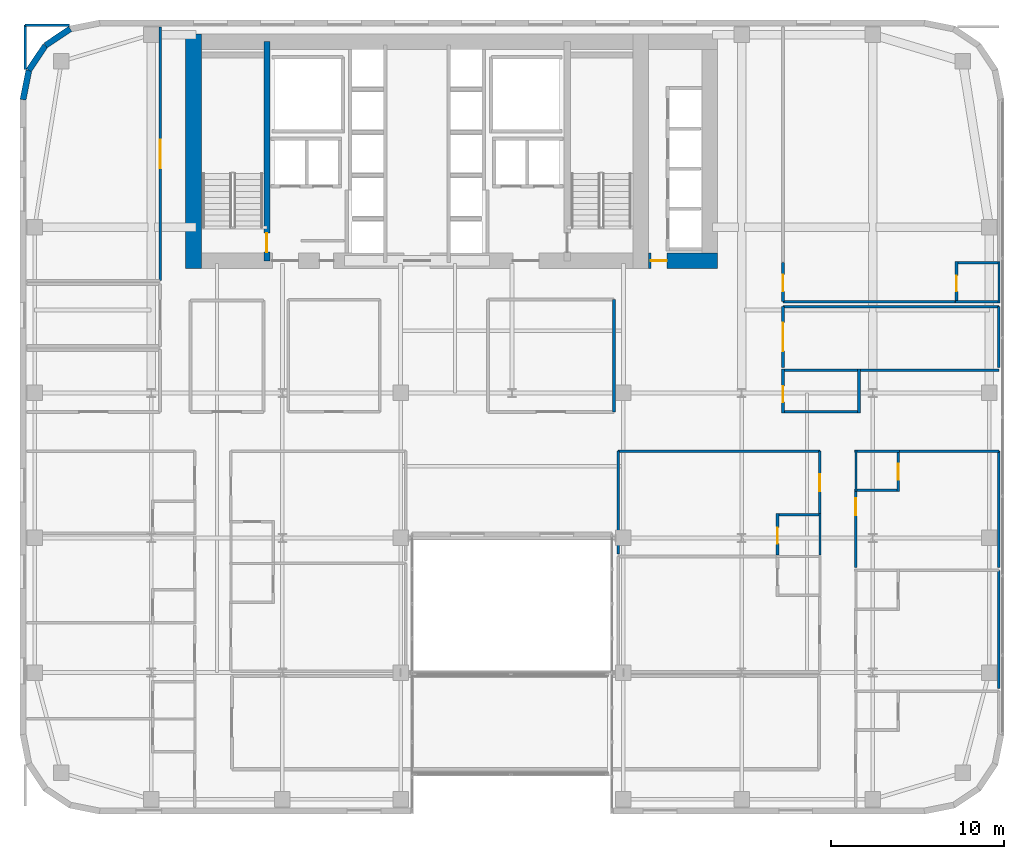
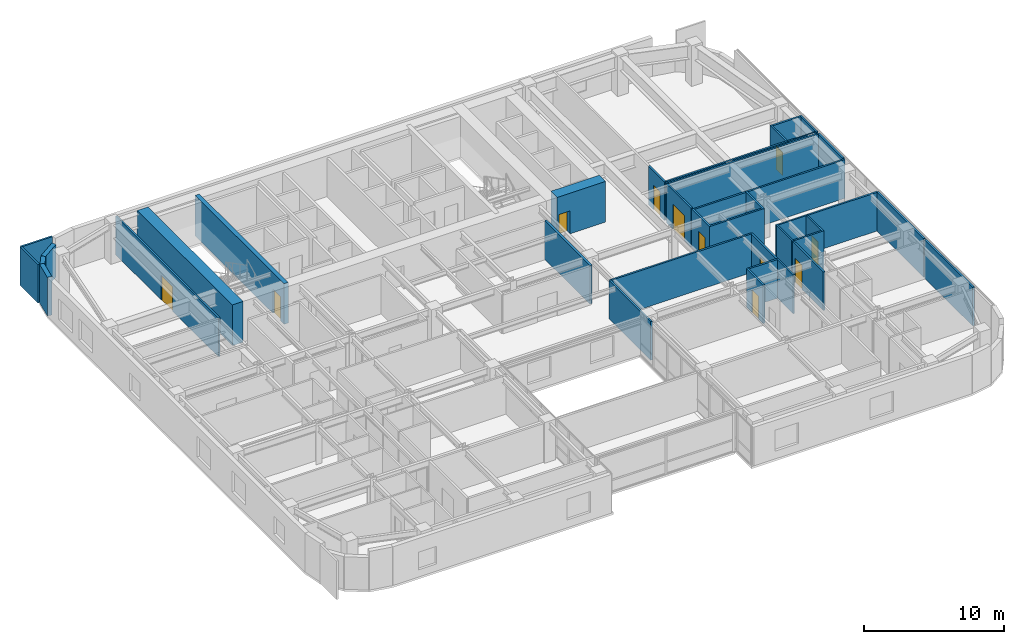
# One storey, part 21 of 25: 37 walls, 11 doors, 11 openings.
"""IFC4 building model written with IfcOpenShell, lengths in metres."""

from ifc_helpers import new_model, si_unit, direction, frame, frame_2d, origin, place, context, subcontext, project, spatial, rectangle, extrude, source, transform, mapped, material, layer, layer_set, type_object, type_shapes, element, fill, save


model = new_model("IFC4")

# Units and contexts
model_context = context("Model", 3, precision=1e-05, world=origin(), true_north=direction((0.0, 1.0)))
body_context = subcontext(model_context, "Body", "Model", "MODEL_VIEW")
ifc_project = project(units=[si_unit("LENGTHUNIT", "METRE"), si_unit("AREAUNIT", "SQUARE_METRE"), si_unit("VOLUMEUNIT", "CUBIC_METRE"), si_unit("PLANEANGLEUNIT", "RADIAN"), si_unit("MASSUNIT", "GRAM", prefix="KILO")], contexts=[model_context])

# Site, building, storey
site_placement = place(None, origin())
site = spatial("IfcSite", under=ifc_project, at=site_placement, CompositionType="ELEMENT")
building_placement = place(site_placement, origin())
building = spatial("IfcBuilding", under=site, at=building_placement, Name="Tolvann Quenvar Hotel", CompositionType="ELEMENT")
storey_placement = place(building_placement, frame((0.0, 0.0, 78.14990234375)))
storey = spatial("IfcBuildingStorey", under=building, at=storey_placement, Name="L19", CompositionType="ELEMENT", Elevation=78.14990234375)

# Wall
ifc_material_1 = material(Name="Concrete S80 (80 MPa)", Category="concrete")
ifc_layer_1 = layer(ifc_material_1, 0.89990234375)
ifc_layer_set_1 = layer_set([ifc_layer_1], Name="Concrete S80 (80 MPa)")
wall_type_1 = type_object("IfcWallType", Name="WALL_CORE_900", PredefinedType="SHEAR", material=ifc_layer_set_1)
wall_1_placement = place(storey_placement, frame((10.050048828125, 31.60009765625, 0.0), z_axis=(0.0, 0.0, 1.0), x_axis=(0.0, 1.0, 0.0)))
element("IfcWall", 1, at=wall_1_placement, inside=storey, type_object=wall_type_1, Name="Rear Core W Shear Wall (L19)", PredefinedType="SHEAR", context=body_context, shape_type="SweptSolid", body=[
    extrude(rectangle(XDim=13.599853515625, YDim=0.89990234375, at=frame_2d((6.7998046875, 0.0))), origin(), (0.0, 0.0, 1.0), 3.550048828125),
])

# Wall, opening, door
wall_2_placement = place(storey_placement, frame((36.39990234375, 32.050048828125, 0.0), z_axis=(0.0, 0.0, 1.0), x_axis=(1.0, 0.0, 0.0)))
wall_2 = element("IfcWall", 2, at=wall_2_placement, inside=storey, type_object=wall_type_1, Name="Core East Annex Shear Wall ANN-S (L19)", PredefinedType="SHEAR", context=body_context, shape_type="SweptSolid", body=[
    extrude(rectangle(XDim=4.0, YDim=0.89990234375, at=frame_2d((2.0, 0.0))), origin(), (0.0, 0.0, 1.0), 3.550048828125),
])
opening_1_placement = place(wall_2_placement, frame((1.06982421875, 0.0, 0.0), z_axis=(0.0, 0.0, 1.0), x_axis=(-1.0, 0.0, 0.0)))
opening_1 = element("IfcOpeningElement", 3, at=opening_1_placement, cuts=wall_2, Name="Opening WD-01", PredefinedType="OPENING", context=body_context, shape_type="SweptSolid", body=[
    extrude(rectangle(XDim=0.919921875, YDim=2.010009765625, at=frame_2d((0.4599609375, 1.0048828125))), frame((0.0, 0.4599609375, 0.0), z_axis=(0.0, -1.0, 0.0), x_axis=(1.0, 0.0, 0.0)), (0.0, 0.0, 1.0), 0.919921875),
])
ifc_material_2 = material(Name="Solid-core American oak acoustic fire door leaf in steel frame", Category="steel")
door_type_1 = type_object("IfcDoorType", Name="DOOR_WC_920", OperationType="NOTDEFINED", PredefinedType="DOOR", material=ifc_material_2)
shared_shape_1 = source(origin(), body_context, "Body", "SweptSolid", [
    extrude(rectangle(XDim=0.919921875, YDim=2.010009765625, at=frame_2d((0.4599609375, 1.0048828125))), frame((0.0, 0.02490234375, 0.0), z_axis=(0.0, -1.0, 0.0), x_axis=(1.0, 0.0, 0.0)), (0.0, 0.0, 1.0), 0.050048828125),
])
type_shapes(door_type_1, [shared_shape_1])
door_1_placement = place(opening_1_placement, origin())
door_1 = element("IfcDoor", 4, at=door_1_placement, inside=storey, type_object=door_type_1, Name="Low-Rise Lift Lobby Fire Door (L19)", OperationType="SINGLE_SWING_RIGHT", OverallHeight=2.010009765625, OverallWidth=0.919921875, PredefinedType="DOOR", context=body_context, shape_type="MappedRepresentation", body=[
    mapped(shared_shape_1, transform((0.0, 0.0, 0.0), x_axis=(1.0, 0.0, 0.0), y_axis=(0.0, 1.0, 0.0), z_axis=(0.0, 0.0, 1.0), scale=1.0)),
])
fill(opening_1, door_1)

ifc_material_3 = material(Name="Concrete S65 (65 MPa)", Category="concrete")
ifc_layer_2 = layer(ifc_material_3, 0.35009765625)
ifc_layer_set_2 = layer_set([ifc_layer_2], Name="Concrete S65 (65 MPa)")
wall_type_2 = type_object("IfcWallType", Name="WALL_CORE_INT_350", PredefinedType="SHEAR", material=ifc_layer_set_2)
wall_3_placement = place(storey_placement, frame((14.300048828125, 32.050048828125, 0.0), z_axis=(0.0, 0.0, 1.0), x_axis=(0.0, 1.0, 0.0)))
wall_3 = element("IfcWall", 5, at=wall_3_placement, inside=storey, type_object=wall_type_2, Name="Core Internal Web Shear Wall WEB-W (L19)", PredefinedType="SHEAR", context=body_context, shape_type="SweptSolid", body=[
    extrude(rectangle(XDim=12.699951171875, YDim=0.35009765625, at=frame_2d((6.35009765625, 0.0))), origin(), (0.0, 0.0, 1.0), 3.550048828125),
])
opening_2_placement = place(wall_3_placement, frame((0.5, 0.0, 0.0)))
opening_2 = element("IfcOpeningElement", 6, at=opening_2_placement, cuts=wall_3, Name="Opening FD-120", PredefinedType="OPENING", context=body_context, shape_type="SweptSolid", body=[
    extrude(rectangle(XDim=1.10009765625, YDim=2.1201171875, at=frame_2d((0.550048828125, 1.06005859375))), frame((0.0, 0.18505859375, 0.0), z_axis=(0.0, -1.0, 0.0), x_axis=(1.0, 0.0, 0.0)), (0.0, 0.0, 1.0), 0.3701171875),
])
ifc_material_4 = material(Name="Pressed galvanised steel fire-rated door set", Category="steel")
door_type_2 = type_object("IfcDoorType", Name="DOOR_FIRE_STAIR_1100", OperationType="NOTDEFINED", PredefinedType="DOOR", material=ifc_material_4)
shared_shape_2 = source(origin(), body_context, "Body", "SweptSolid", [
    extrude(rectangle(XDim=1.10009765625, YDim=2.1201171875, at=frame_2d((0.550048828125, 1.06005859375))), frame((0.0, 0.02490234375, 0.0), z_axis=(0.0, -1.0, 0.0), x_axis=(1.0, 0.0, 0.0)), (0.0, 0.0, 1.0), 0.050048828125),
])
type_shapes(door_type_2, [shared_shape_2])
door_2_placement = place(opening_2_placement, origin())
door_2 = element("IfcDoor", 7, at=door_2_placement, inside=storey, type_object=door_type_2, Name="Exit Stair ST-C1 Fire Door (L19)", OperationType="SINGLE_SWING_LEFT", OverallHeight=2.1201171875, OverallWidth=1.10009765625, PredefinedType="DOOR", context=body_context, shape_type="MappedRepresentation", body=[
    mapped(shared_shape_2, transform((0.0, 0.0, 0.0), x_axis=(1.0, 0.0, 0.0), y_axis=(0.0, 1.0, 0.0), z_axis=(0.0, 0.0, 1.0), scale=1.0)),
])
fill(opening_2, door_2)

# Walls
ifc_material_5 = material(Name="Kiln-fired red and buff architectural clay brickwork and terracotta masonry", Category="masonry")
ifc_layer_3 = layer(ifc_material_5, 0.35009765625)
ifc_layer_set_3 = layer_set([ifc_layer_3], Name="Kiln-fired red and buff architectural clay brickwork and terracotta masonry")
wall_type_3 = type_object("IfcWallType", Name="WALL_EXT_BRICK_350", PredefinedType="SOLIDWALL", material=ifc_layer_set_3)
for number, where, z_axis, x_axis, name in (
    (8, (2.907958984375, 45.485107421875, 0.0), (0.0, 0.0, 1.0), (-0.831483840845, -0.55554893791, 0.0), "Exterior Chicago Brick Wall L19-E20"),
    (9, (1.473388671875, 44.526611328125, 0.0), (0.0, 0.0, 1.0), (-0.55554893791, -0.831483840845, 0.0), "Exterior Chicago Brick Wall L19-E21"),
):
    element("IfcWall", number, at=place(storey_placement, frame(where, z_axis=z_axis, x_axis=x_axis)), inside=storey, type_object=wall_type_3, Name=name, PredefinedType="SOLIDWALL", context=body_context, shape_type="SweptSolid", body=[
        extrude(rectangle(XDim=1.725341796875, YDim=0.35009765625, at=frame_2d((0.86279296875, 0.0))), origin(), (0.0, 0.0, 1.0), 2.83203125),
    ])
wall_4_placement = place(storey_placement, frame((0.514892578125, 43.092041015625, 0.0), z_axis=(0.0, 0.0, 1.0), x_axis=(-0.195011420161, -0.980800971659, 0.0)))
element("IfcWall", 10, at=wall_4_placement, inside=storey, type_object=wall_type_3, Name="Exterior Chicago Brick Wall L19-E22", PredefinedType="SOLIDWALL", context=body_context, shape_type="SweptSolid", body=[
    extrude(rectangle(XDim=1.74267578125, YDim=0.35009765625, at=frame_2d((0.871337890625, 0.0))), origin(), (0.0, 0.0, 1.0), 3.3701171875),
])
ifc_material_6 = material(Name="Acoustic twin-stud fire-rated gypsum plasterboard partition")
ifc_layer_4 = layer(ifc_material_6, 0.179931640625)
ifc_layer_set_4 = layer_set([ifc_layer_4], Name="Acoustic twin-stud fire-rated gypsum plasterboard partition")
wall_type_4 = type_object("IfcWallType", Name="WALL_PART_ACOUSTIC_180", PredefinedType="PARTITIONING", material=ifc_layer_set_4)
wall_5_placement = place(storey_placement, frame((34.39990234375, 23.300048828125, 0.0), z_axis=(0.0, 0.0, 1.0), x_axis=(0.0, 1.0, 0.0)))
element("IfcWall", 11, at=wall_5_placement, inside=storey, type_object=wall_type_4, Name="Interior Partition PT-SPC-L19-MSP-C-E", PredefinedType="PARTITIONING", context=body_context, shape_type="SweptSolid", body=[
    extrude(rectangle(XDim=6.5, YDim=0.179931640625, at=frame_2d((3.25, 0.0))), origin(), (0.0, 0.0, 1.0), 3.3701171875),
])
ifc_material_7 = material(Name="Moisture-resistant acoustic plumbing wall assembly")
ifc_layer_5 = layer(ifc_material_7, 0.1201171875)
ifc_layer_set_5 = layer_set([ifc_layer_5], Name="Moisture-resistant acoustic plumbing wall assembly")
wall_type_5 = type_object("IfcWallType", Name="WALL_PART_BATH_120", PredefinedType="PLUMBINGWALL", material=ifc_layer_set_5)
wall_6_placement = place(storey_placement, frame((46.330078125, 15.010009765625, 0.0), z_axis=(0.0, 0.0, 1.0), x_axis=(0.0, 1.0, 0.0)))
element("IfcWall", 12, at=wall_6_placement, inside=storey, type_object=wall_type_5, Name="Non-Rated Plumbing Partition PT-SPC-L19-ENS-EI02-E", PredefinedType="PLUMBINGWALL", context=body_context, shape_type="SweptSolid", body=[
    extrude(rectangle(XDim=2.389892578125, YDim=0.1201171875, at=frame_2d((1.19482421875, 0.0))), origin(), (0.0, 0.0, 1.0), 3.3701171875),
])
wall_7_placement = place(storey_placement, frame((48.35009765625, 21.02001953125, 0.0), z_axis=(0.0, 0.0, 1.0), x_axis=(1.0, 0.0, 0.0)))
element("IfcWall", 13, at=wall_7_placement, inside=storey, type_object=wall_type_5, Name="Non-Rated Plumbing Partition PT-SPC-L19-ENS-EO03-N", PredefinedType="PLUMBINGWALL", context=body_context, shape_type="SweptSolid", body=[
    extrude(rectangle(XDim=2.58984375, YDim=0.1201171875, at=frame_2d((1.294921875, 0.0))), origin(), (0.0, 0.0, 1.0), 3.3701171875),
])
wall_8_placement = place(storey_placement, frame((48.419921875, 18.699951171875, 0.0), z_axis=(0.0, 0.0, 1.0), x_axis=(0.0, 1.0, 0.0)))
element("IfcWall", 14, at=wall_8_placement, inside=storey, type_object=wall_type_5, Name="Non-Rated Plumbing Partition PT-SPC-L19-ENS-EO03-W", PredefinedType="PLUMBINGWALL", context=body_context, shape_type="SweptSolid", body=[
    extrude(rectangle(XDim=2.39013671875, YDim=0.1201171875, at=frame_2d((1.195068359375, 0.0))), origin(), (0.0, 0.0, 1.0), 3.3701171875),
])
wall_9_placement = place(storey_placement, frame((54.179931640625, 29.679931640625, 0.0), z_axis=(0.0, 0.0, 1.0), x_axis=(1.0, 0.0, 0.0)))
element("IfcWall", 15, at=wall_9_placement, inside=storey, type_object=wall_type_5, Name="Non-Rated Plumbing Partition PT-SPC-L19-ENS-NE01-S", PredefinedType="PLUMBINGWALL", context=body_context, shape_type="SweptSolid", body=[
    extrude(rectangle(XDim=2.590087890625, YDim=0.1201171875, at=frame_2d((1.294921875, 0.0))), origin(), (0.0, 0.0, 1.0), 3.3701171875),
])
wall_10_placement = place(storey_placement, frame((56.699951171875, 29.610107421875, 0.0), z_axis=(0.0, 0.0, 1.0), x_axis=(0.0, 1.0, 0.0)))
element("IfcWall", 16, at=wall_10_placement, inside=storey, type_object=wall_type_5, Name="Non-Rated Plumbing Partition PT-SPC-L19-ENS-NE01-E", PredefinedType="PLUMBINGWALL", context=body_context, shape_type="SweptSolid", body=[
    extrude(rectangle(XDim=2.389892578125, YDim=0.1201171875, at=frame_2d((1.19482421875, 0.0))), origin(), (0.0, 0.0, 1.0), 3.3701171875),
])

# Wall, opening, door
ifc_layer_6 = layer(ifc_material_6, 0.14990234375)
ifc_layer_set_6 = layer_set([ifc_layer_6], Name="Acoustic twin-stud fire-rated gypsum plasterboard partition")
wall_type_6 = type_object("IfcWallType", Name="WALL_PART_SUITE_150", PredefinedType="PARTITIONING", material=ifc_layer_set_6)
wall_11_placement = place(storey_placement, frame((43.8798828125, 15.010009765625, 0.0), z_axis=(0.0, 0.0, 1.0), x_axis=(0.0, 1.0, 0.0)))
wall_11 = element("IfcWall", 17, at=wall_11_placement, inside=storey, type_object=wall_type_6, Name="Interior Partition PT-SPC-L19-ENS-EI02-ENT", PredefinedType="PARTITIONING", context=body_context, shape_type="SweptSolid", body=[
    extrude(rectangle(XDim=2.389892578125, YDim=0.14990234375, at=frame_2d((1.19482421875, 0.0))), origin(), (0.0, 0.0, 1.0), 3.3701171875),
])
opening_3_placement = place(wall_11_placement, frame((0.6650390625, 0.0, 0.0)))
opening_3 = element("IfcOpeningElement", 18, at=opening_3_placement, cuts=wall_11, Name="Opening WD-01", PredefinedType="OPENING", context=body_context, shape_type="SweptSolid", body=[
    extrude(rectangle(XDim=0.919921875, YDim=2.010009765625, at=frame_2d((0.4599609375, 1.0048828125))), frame((0.0, 0.0849609375, 0.0), z_axis=(0.0, -1.0, 0.0), x_axis=(1.0, 0.0, 0.0)), (0.0, 0.0, 1.0), 0.169921875),
])
door_3_placement = place(opening_3_placement, origin())
door_3 = element("IfcDoor", 19, at=door_3_placement, inside=storey, type_object=door_type_1, Name="Interior Door DOOR-SPC-L19-ENS-EI02", OperationType="SINGLE_SWING_LEFT", OverallHeight=2.010009765625, OverallWidth=0.919921875, PredefinedType="DOOR", context=body_context, shape_type="MappedRepresentation", body=[
    mapped(shared_shape_1, transform((0.0, 0.0, 0.0), x_axis=(1.0, 0.0, 0.0), y_axis=(0.0, 1.0, 0.0), z_axis=(0.0, 0.0, 1.0), scale=1.0)),
])
fill(opening_3, door_3)

# Wall
wall_12_placement = place(storey_placement, frame((43.81005859375, 17.330078125, 0.0), z_axis=(0.0, 0.0, 1.0), x_axis=(1.0, 0.0, 0.0)))
element("IfcWall", 20, at=wall_12_placement, inside=storey, type_object=wall_type_6, Name="Interior Partition PT-SPC-L19-ENS-EI02-N", PredefinedType="PARTITIONING", context=body_context, shape_type="SweptSolid", body=[
    extrude(rectangle(XDim=2.58984375, YDim=0.14990234375, at=frame_2d((1.294921875, 0.0))), origin(), (0.0, 0.0, 1.0), 3.3701171875),
])

# Wall, opening, door
wall_13_placement = place(storey_placement, frame((50.8701171875, 18.699951171875, 0.0), z_axis=(0.0, 0.0, 1.0), x_axis=(0.0, 1.0, 0.0)))
wall_13 = element("IfcWall", 21, at=wall_13_placement, inside=storey, type_object=wall_type_6, Name="Interior Partition PT-SPC-L19-ENS-EO03-ENT", PredefinedType="PARTITIONING", context=body_context, shape_type="SweptSolid", body=[
    extrude(rectangle(XDim=2.39013671875, YDim=0.14990234375, at=frame_2d((1.195068359375, 0.0))), origin(), (0.0, 0.0, 1.0), 3.3701171875),
])
opening_4_placement = place(wall_13_placement, frame((0.6650390625, 0.0, 0.0)))
opening_4 = element("IfcOpeningElement", 22, at=opening_4_placement, cuts=wall_13, Name="Opening WD-01", PredefinedType="OPENING", context=body_context, shape_type="SweptSolid", body=[
    extrude(rectangle(XDim=0.919921875, YDim=2.010009765625, at=frame_2d((0.4599609375, 1.0048828125))), frame((0.0, 0.0849609375, 0.0), z_axis=(0.0, -1.0, 0.0), x_axis=(1.0, 0.0, 0.0)), (0.0, 0.0, 1.0), 0.169921875),
])
door_4_placement = place(opening_4_placement, origin())
door_4 = element("IfcDoor", 23, at=door_4_placement, inside=storey, type_object=door_type_1, Name="Interior Door DOOR-SPC-L19-ENS-EO03", OperationType="SINGLE_SWING_RIGHT", OverallHeight=2.010009765625, OverallWidth=0.919921875, PredefinedType="DOOR", context=body_context, shape_type="MappedRepresentation", body=[
    mapped(shared_shape_1, transform((0.0, 0.0, 0.0), x_axis=(1.0, 0.0, 0.0), y_axis=(0.0, 1.0, 0.0), z_axis=(0.0, 0.0, 1.0), scale=1.0)),
])
fill(opening_4, door_4)

# Wall
wall_14_placement = place(storey_placement, frame((48.35009765625, 18.77001953125, 0.0), z_axis=(0.0, 0.0, 1.0), x_axis=(1.0, 0.0, 0.0)))
element("IfcWall", 24, at=wall_14_placement, inside=storey, type_object=wall_type_6, Name="Interior Partition PT-SPC-L19-ENS-EO03-S", PredefinedType="PARTITIONING", context=body_context, shape_type="SweptSolid", body=[
    extrude(rectangle(XDim=2.58984375, YDim=0.14990234375, at=frame_2d((1.294921875, 0.0))), origin(), (0.0, 0.0, 1.0), 3.3701171875),
])

# Wall, opening, door
wall_15_placement = place(storey_placement, frame((54.25, 29.610107421875, 0.0), z_axis=(0.0, 0.0, 1.0), x_axis=(0.0, 1.0, 0.0)))
wall_15 = element("IfcWall", 25, at=wall_15_placement, inside=storey, type_object=wall_type_6, Name="Interior Partition PT-SPC-L19-ENS-NE01-ENT", PredefinedType="PARTITIONING", context=body_context, shape_type="SweptSolid", body=[
    extrude(rectangle(XDim=2.389892578125, YDim=0.14990234375, at=frame_2d((1.19482421875, 0.0))), origin(), (0.0, 0.0, 1.0), 3.3701171875),
])
opening_5_placement = place(wall_15_placement, frame((0.6650390625, 0.0, 0.0)))
opening_5 = element("IfcOpeningElement", 26, at=opening_5_placement, cuts=wall_15, Name="Opening WD-01", PredefinedType="OPENING", context=body_context, shape_type="SweptSolid", body=[
    extrude(rectangle(XDim=0.919921875, YDim=2.010009765625, at=frame_2d((0.4599609375, 1.0048828125))), frame((0.0, 0.0849609375, 0.0), z_axis=(0.0, -1.0, 0.0), x_axis=(1.0, 0.0, 0.0)), (0.0, 0.0, 1.0), 0.169921875),
])
door_5_placement = place(opening_5_placement, origin())
door_5 = element("IfcDoor", 27, at=door_5_placement, inside=storey, type_object=door_type_1, Name="Interior Door DOOR-SPC-L19-ENS-NE01", OperationType="SINGLE_SWING_LEFT", OverallHeight=2.010009765625, OverallWidth=0.919921875, PredefinedType="DOOR", context=body_context, shape_type="MappedRepresentation", body=[
    mapped(shared_shape_1, transform((0.0, 0.0, 0.0), x_axis=(1.0, 0.0, 0.0), y_axis=(0.0, 1.0, 0.0), z_axis=(0.0, 0.0, 1.0), scale=1.0)),
])
fill(opening_5, door_5)

# Wall
wall_16_placement = place(storey_placement, frame((54.179931640625, 31.929931640625, 0.0), z_axis=(0.0, 0.0, 1.0), x_axis=(1.0, 0.0, 0.0)))
element("IfcWall", 28, at=wall_16_placement, inside=storey, type_object=wall_type_6, Name="Interior Partition PT-SPC-L19-ENS-NE01-N", PredefinedType="PARTITIONING", context=body_context, shape_type="SweptSolid", body=[
    extrude(rectangle(XDim=2.590087890625, YDim=0.14990234375, at=frame_2d((1.294921875, 0.0))), origin(), (0.0, 0.0, 1.0), 3.3701171875),
])

# Wall, opening, door
wall_17_placement = place(storey_placement, frame((46.330078125, 17.409912109375, 0.0), z_axis=(0.0, 0.0, 1.0), x_axis=(0.0, 1.0, 0.0)))
wall_17 = element("IfcWall", 29, at=wall_17_placement, inside=storey, type_object=wall_type_6, Name="Interior Partition PT-SPC-L19-RM-EI02-ENT", PredefinedType="PARTITIONING", context=body_context, shape_type="SweptSolid", body=[
    extrude(rectangle(XDim=3.610107421875, YDim=0.14990234375, at=frame_2d((1.80517578125, 0.0))), origin(), (0.0, 0.0, 1.0), 3.3701171875),
])
opening_6_placement = place(wall_17_placement, frame((1.294921875, 0.0, 0.0)))
opening_6 = element("IfcOpeningElement", 30, at=opening_6_placement, cuts=wall_17, Name="Opening SD-01", PredefinedType="OPENING", context=body_context, shape_type="SweptSolid", body=[
    extrude(rectangle(XDim=0.97998046875, YDim=2.1201171875, at=frame_2d((0.489990234375, 1.06005859375))), frame((0.0, 0.0849609375, 0.0), z_axis=(0.0, -1.0, 0.0), x_axis=(1.0, 0.0, 0.0)), (0.0, 0.0, 1.0), 0.169921875),
])
door_type_3 = type_object("IfcDoorType", Name="DOOR_SUITE_980", OperationType="NOTDEFINED", PredefinedType="DOOR", material=ifc_material_2)
shared_shape_3 = source(origin(), body_context, "Body", "SweptSolid", [
    extrude(rectangle(XDim=0.97998046875, YDim=2.1201171875, at=frame_2d((0.489990234375, 1.06005859375))), frame((0.0, 0.02490234375, 0.0), z_axis=(0.0, -1.0, 0.0), x_axis=(1.0, 0.0, 0.0)), (0.0, 0.0, 1.0), 0.050048828125),
])
type_shapes(door_type_3, [shared_shape_3])
door_6_placement = place(opening_6_placement, origin())
door_6 = element("IfcDoor", 31, at=door_6_placement, inside=storey, type_object=door_type_3, Name="Interior Door DOOR-SPC-L19-RM-EI02", OperationType="SINGLE_SWING_LEFT", OverallHeight=2.1201171875, OverallWidth=0.97998046875, PredefinedType="DOOR", context=body_context, shape_type="MappedRepresentation", body=[
    mapped(shared_shape_3, transform((0.0, 0.0, 0.0), x_axis=(1.0, 0.0, 0.0), y_axis=(0.0, 1.0, 0.0), z_axis=(0.0, 0.0, 1.0), scale=1.0)),
])
fill(opening_6, door_6)

# Walls
wall_18_placement = place(storey_placement, frame((34.64990234375, 21.02001953125, 0.0), z_axis=(0.0, 0.0, 1.0), x_axis=(1.0, 0.0, 0.0)))
element("IfcWall", 32, at=wall_18_placement, inside=storey, type_object=wall_type_6, Name="Interior Partition PT-SPC-L19-RM-EI02-E5", PredefinedType="PARTITIONING", context=body_context, shape_type="SweptSolid", body=[
    extrude(rectangle(XDim=11.68017578125, YDim=0.14990234375, at=frame_2d((5.840087890625, 0.0))), origin(), (0.0, 0.0, 1.0), 3.3701171875),
])
wall_19_placement = place(storey_placement, frame((34.64990234375, 15.080078125, 0.0), z_axis=(0.0, 0.0, 1.0), x_axis=(0.0, 1.0, 0.0)))
element("IfcWall", 33, at=wall_19_placement, inside=storey, type_object=wall_type_6, Name="Interior Partition PT-SPC-L19-RM-EI02-E6", PredefinedType="PARTITIONING", context=body_context, shape_type="SweptSolid", body=[
    extrude(rectangle(XDim=5.93994140625, YDim=0.14990234375, at=frame_2d((2.969970703125, 0.0))), origin(), (0.0, 0.0, 1.0), 3.3701171875),
])
wall_20_placement = place(storey_placement, frame((56.699951171875, 7.280029296875, 0.0), z_axis=(0.0, 0.0, 1.0), x_axis=(0.0, 1.0, 0.0)))
element("IfcWall", 34, at=wall_20_placement, inside=storey, type_object=wall_type_6, Name="Interior Partition PT-SPC-L19-RM-EO02-E2", PredefinedType="PARTITIONING", context=body_context, shape_type="SweptSolid", body=[
    extrude(rectangle(XDim=6.840087890625, YDim=0.14990234375, at=frame_2d((3.419921875, 0.0))), origin(), (0.0, 0.0, 1.0), 3.3701171875),
])

# Wall, opening, door
wall_21_placement = place(storey_placement, frame((48.419921875, 14.280029296875, 0.0), z_axis=(0.0, 0.0, 1.0), x_axis=(0.0, 1.0, 0.0)))
wall_21 = element("IfcWall", 35, at=wall_21_placement, inside=storey, type_object=wall_type_6, Name="Interior Partition PT-SPC-L19-RM-EO03-ENT", PredefinedType="PARTITIONING", context=body_context, shape_type="SweptSolid", body=[
    extrude(rectangle(XDim=4.409912109375, YDim=0.14990234375, at=frame_2d((2.205078125, 0.0))), origin(), (0.0, 0.0, 1.0), 3.3701171875),
])
opening_7_placement = place(wall_21_placement, frame((3.044921875, 0.0, 0.0)))
opening_7 = element("IfcOpeningElement", 36, at=opening_7_placement, cuts=wall_21, Name="Opening SD-01", PredefinedType="OPENING", context=body_context, shape_type="SweptSolid", body=[
    extrude(rectangle(XDim=0.97998046875, YDim=2.1201171875, at=frame_2d((0.489990234375, 1.06005859375))), frame((0.0, 0.0849609375, 0.0), z_axis=(0.0, -1.0, 0.0), x_axis=(1.0, 0.0, 0.0)), (0.0, 0.0, 1.0), 0.169921875),
])
door_7_placement = place(opening_7_placement, origin())
door_7 = element("IfcDoor", 37, at=door_7_placement, inside=storey, type_object=door_type_3, Name="Interior Door DOOR-SPC-L19-RM-EO03", OperationType="SINGLE_SWING_RIGHT", OverallHeight=2.1201171875, OverallWidth=0.97998046875, PredefinedType="DOOR", context=body_context, shape_type="MappedRepresentation", body=[
    mapped(shared_shape_3, transform((0.0, 0.0, 0.0), x_axis=(1.0, 0.0, 0.0), y_axis=(0.0, 1.0, 0.0), z_axis=(0.0, 0.0, 1.0), scale=1.0)),
])
fill(opening_7, door_7)

# Walls
wall_22_placement = place(storey_placement, frame((56.699951171875, 14.280029296875, 0.0), z_axis=(0.0, 0.0, 1.0), x_axis=(0.0, 1.0, 0.0)))
element("IfcWall", 38, at=wall_22_placement, inside=storey, type_object=wall_type_6, Name="Interior Partition PT-SPC-L19-RM-EO03-E2", PredefinedType="PARTITIONING", context=body_context, shape_type="SweptSolid", body=[
    extrude(rectangle(XDim=6.739990234375, YDim=0.14990234375, at=frame_2d((3.3701171875, 0.0))), origin(), (0.0, 0.0, 1.0), 3.3701171875),
])
wall_23_placement = place(storey_placement, frame((50.889892578125, 21.02001953125, 0.0), z_axis=(0.0, 0.0, 1.0), x_axis=(1.0, 0.0, 0.0)))
element("IfcWall", 39, at=wall_23_placement, inside=storey, type_object=wall_type_6, Name="Interior Partition PT-SPC-L19-RM-EO03-E3", PredefinedType="PARTITIONING", context=body_context, shape_type="SweptSolid", body=[
    extrude(rectangle(XDim=5.81005859375, YDim=0.14990234375, at=frame_2d((2.905029296875, 0.0))), origin(), (0.0, 0.0, 1.0), 3.3701171875),
])
for number, where, z_axis, x_axis, name in (
    (40, (0.300048828125, 45.699951171875, 0.0), (0.0, 0.0, 1.0), (1.0, 0.0, 0.0), "Interior Partition PT-SPC-L19-TEA-N"),
    (41, (0.300048828125, 43.135009765625, 0.0), (0.0, 0.0, 1.0), (0.0, 1.0, 0.0), "Interior Partition PT-SPC-L19-TEA-W"),
):
    element("IfcWall", number, at=place(storey_placement, frame(where, z_axis=z_axis, x_axis=x_axis)), inside=storey, type_object=wall_type_6, Name=name, PredefinedType="PARTITIONING", context=body_context, shape_type="SweptSolid", body=[
        extrude(rectangle(XDim=2.56494140625, YDim=0.14990234375, at=frame_2d((1.282470703125, 0.0))), origin(), (0.0, 0.0, 1.0), 3.3701171875),
    ])

# Wall, opening, door
wall_24_placement = place(storey_placement, frame((8.1201171875, 30.89990234375, 0.0), z_axis=(0.0, 0.0, 1.0), x_axis=(0.0, 1.0, 0.0)))
wall_24 = element("IfcWall", 42, at=wall_24_placement, inside=storey, type_object=wall_type_6, Name="Interior Partition PT-SPC-L19-TEA-E", PredefinedType="PARTITIONING", context=body_context, shape_type="SweptSolid", body=[
    extrude(rectangle(XDim=14.695068359375, YDim=0.14990234375, at=frame_2d((7.34765625, 0.0))), origin(), (0.0, 0.0, 1.0), 3.3701171875),
])
opening_8_placement = place(wall_24_placement, frame((6.5224609375, 0.0, 0.0)))
opening_8 = element("IfcOpeningElement", 43, at=opening_8_placement, cuts=wall_24, Name="Opening AD-01", PredefinedType="OPENING", context=body_context, shape_type="SweptSolid", body=[
    extrude(rectangle(XDim=1.64990234375, YDim=2.14990234375, at=frame_2d((0.824951171875, 1.074951171875))), frame((0.0, 0.0849609375, 0.0), z_axis=(0.0, -1.0, 0.0), x_axis=(1.0, 0.0, 0.0)), (0.0, 0.0, 1.0), 0.169921875),
])
door_type_4 = type_object("IfcDoorType", Name="DOOR_SALON_1650", OperationType="NOTDEFINED", PredefinedType="DOOR", material=ifc_material_2)
shared_shape_4 = source(origin(), body_context, "Body", "SweptSolid", [
    extrude(rectangle(XDim=1.64990234375, YDim=2.14990234375, at=frame_2d((0.824951171875, 1.074951171875))), frame((0.0, 0.02490234375, 0.0), z_axis=(0.0, -1.0, 0.0), x_axis=(1.0, 0.0, 0.0)), (0.0, 0.0, 1.0), 0.050048828125),
])
type_shapes(door_type_4, [shared_shape_4])
door_8_placement = place(opening_8_placement, origin())
door_8 = element("IfcDoor", 44, at=door_8_placement, inside=storey, type_object=door_type_4, Name="Interior Door DOOR-SPC-L19-TEA", OperationType="DOUBLE_DOOR_SINGLE_SWING", OverallHeight=2.14990234375, OverallWidth=1.64990234375, PredefinedType="DOOR", context=body_context, shape_type="MappedRepresentation", body=[
    mapped(shared_shape_4, transform((0.0, 0.0, 0.0), x_axis=(1.0, 0.0, 0.0), y_axis=(0.0, 1.0, 0.0), z_axis=(0.0, 0.0, 1.0), scale=1.0)),
])
fill(opening_8, door_8)

wall_25_placement = place(storey_placement, frame((44.199951171875, 23.22998046875, 0.0), z_axis=(0.0, 0.0, 1.0), x_axis=(0.0, 1.0, 0.0)))
wall_25 = element("IfcWall", 45, at=wall_25_placement, inside=storey, type_object=wall_type_6, Name="Interior Partition PT-SPC-L19-WCA-ENT", PredefinedType="PARTITIONING", context=body_context, shape_type="SweptSolid", body=[
    extrude(rectangle(XDim=2.5400390625, YDim=0.14990234375, at=frame_2d((1.27001953125, 0.0))), origin(), (0.0, 0.0, 1.0), 3.3701171875),
])
opening_9_placement = place(wall_25_placement, frame((0.639892578125, 0.0, 0.0)))
opening_9 = element("IfcOpeningElement", 46, at=opening_9_placement, cuts=wall_25, Name="Opening WD-01", PredefinedType="OPENING", context=body_context, shape_type="SweptSolid", body=[
    extrude(rectangle(XDim=0.919921875, YDim=2.010009765625, at=frame_2d((0.4599609375, 1.0048828125))), frame((0.0, 0.0849609375, 0.0), z_axis=(0.0, -1.0, 0.0), x_axis=(1.0, 0.0, 0.0)), (0.0, 0.0, 1.0), 0.169921875),
])
door_9_placement = place(opening_9_placement, origin())
door_9 = element("IfcDoor", 47, at=door_9_placement, inside=storey, type_object=door_type_1, Name="Interior Door DOOR-SPC-L19-WCA", OperationType="SINGLE_SWING_LEFT", OverallHeight=2.010009765625, OverallWidth=0.919921875, PredefinedType="DOOR", context=body_context, shape_type="MappedRepresentation", body=[
    mapped(shared_shape_1, transform((0.0, 0.0, 0.0), x_axis=(1.0, 0.0, 0.0), y_axis=(0.0, 1.0, 0.0), z_axis=(0.0, 0.0, 1.0), scale=1.0)),
])
fill(opening_9, door_9)

# Walls
wall_26_placement = place(storey_placement, frame((44.1298828125, 23.300048828125, 0.0), z_axis=(0.0, 0.0, 1.0), x_axis=(1.0, 0.0, 0.0)))
element("IfcWall", 48, at=wall_26_placement, inside=storey, type_object=wall_type_6, Name="Interior Partition PT-SPC-L19-WCA-S", PredefinedType="PARTITIONING", context=body_context, shape_type="SweptSolid", body=[
    extrude(rectangle(XDim=4.5400390625, YDim=0.14990234375, at=frame_2d((2.27001953125, 0.0))), origin(), (0.0, 0.0, 1.0), 3.3701171875),
])
wall_27_placement = place(storey_placement, frame((44.1298828125, 25.699951171875, 0.0), z_axis=(0.0, 0.0, 1.0), x_axis=(1.0, 0.0, 0.0)))
element("IfcWall", 49, at=wall_27_placement, inside=storey, type_object=wall_type_6, Name="Interior Partition PT-SPC-L19-WCA-N", PredefinedType="PARTITIONING", context=body_context, shape_type="SweptSolid", body=[
    extrude(rectangle(XDim=12.570068359375, YDim=0.14990234375, at=frame_2d((6.28515625, 0.0))), origin(), (0.0, 0.0, 1.0), 3.3701171875),
])
wall_28_placement = place(storey_placement, frame((48.60009765625, 23.22998046875, 0.0), z_axis=(0.0, 0.0, 1.0), x_axis=(0.0, 1.0, 0.0)))
element("IfcWall", 50, at=wall_28_placement, inside=storey, type_object=wall_type_6, Name="Interior Partition PT-SPC-L19-WCA-E", PredefinedType="PARTITIONING", context=body_context, shape_type="SweptSolid", body=[
    extrude(rectangle(XDim=2.5400390625, YDim=0.14990234375, at=frame_2d((1.27001953125, 0.0))), origin(), (0.0, 0.0, 1.0), 3.3701171875),
])
wall_29_placement = place(storey_placement, frame((44.199951171875, 29.39990234375, 0.0), z_axis=(0.0, 0.0, 1.0), x_axis=(1.0, 0.0, 0.0)))
element("IfcWall", 51, at=wall_29_placement, inside=storey, type_object=wall_type_6, Name="Interior Partition PT-SPC-L19-SPA-N", PredefinedType="PARTITIONING", context=body_context, shape_type="SweptSolid", body=[
    extrude(rectangle(XDim=12.5, YDim=0.14990234375, at=frame_2d((6.25, 0.0))), origin(), (0.0, 0.0, 1.0), 3.3701171875),
])

# Wall, opening, door
wall_30_placement = place(storey_placement, frame((44.199951171875, 25.8798828125, 0.0), z_axis=(0.0, 0.0, 1.0), x_axis=(0.0, 1.0, 0.0)))
wall_30 = element("IfcWall", 52, at=wall_30_placement, inside=storey, type_object=wall_type_6, Name="Interior Partition PT-SPC-L19-SPA-W", PredefinedType="PARTITIONING", context=body_context, shape_type="SweptSolid", body=[
    extrude(rectangle(XDim=3.52001953125, YDim=0.14990234375, at=frame_2d((1.760009765625, 0.0))), origin(), (0.0, 0.0, 1.0), 3.3701171875),
])
opening_10_placement = place(wall_30_placement, frame((0.93505859375, 0.0, 0.0)))
opening_10 = element("IfcOpeningElement", 53, at=opening_10_placement, cuts=wall_30, Name="Opening AD-01", PredefinedType="OPENING", context=body_context, shape_type="SweptSolid", body=[
    extrude(rectangle(XDim=1.64990234375, YDim=2.14990234375, at=frame_2d((0.824951171875, 1.074951171875))), frame((0.0, 0.0849609375, 0.0), z_axis=(0.0, -1.0, 0.0), x_axis=(1.0, 0.0, 0.0)), (0.0, 0.0, 1.0), 0.169921875),
])
door_10_placement = place(opening_10_placement, origin())
door_10 = element("IfcDoor", 54, at=door_10_placement, inside=storey, type_object=door_type_4, Name="Interior Door DOOR-SPC-L19-SPA", OperationType="DOUBLE_DOOR_SINGLE_SWING", OverallHeight=2.14990234375, OverallWidth=1.64990234375, PredefinedType="DOOR", context=body_context, shape_type="MappedRepresentation", body=[
    mapped(shared_shape_4, transform((0.0, 0.0, 0.0), x_axis=(1.0, 0.0, 0.0), y_axis=(0.0, 1.0, 0.0), z_axis=(0.0, 0.0, 1.0), scale=1.0)),
])
fill(opening_10, door_10)

# Wall
wall_31_placement = place(storey_placement, frame((56.699951171875, 25.8798828125, 0.0), z_axis=(0.0, 0.0, 1.0), x_axis=(0.0, 1.0, 0.0)))
element("IfcWall", 55, at=wall_31_placement, inside=storey, type_object=wall_type_6, Name="Interior Partition PT-SPC-L19-SPA-E", PredefinedType="PARTITIONING", context=body_context, shape_type="SweptSolid", body=[
    extrude(rectangle(XDim=3.52001953125, YDim=0.14990234375, at=frame_2d((1.760009765625, 0.0))), origin(), (0.0, 0.0, 1.0), 3.3701171875),
])

# Wall, opening, door
wall_32_placement = place(storey_placement, frame((44.199951171875, 29.679931640625, 0.0), z_axis=(0.0, 0.0, 1.0), x_axis=(0.0, 1.0, 0.0)))
wall_32 = element("IfcWall", 56, at=wall_32_placement, inside=storey, type_object=wall_type_6, Name="Interior Partition PT-SPC-L19-RM-NE01-ENT", PredefinedType="PARTITIONING", context=body_context, shape_type="SweptSolid", body=[
    extrude(rectangle(XDim=2.280029296875, YDim=0.14990234375, at=frame_2d((1.14013671875, 0.0))), origin(), (0.0, 0.0, 1.0), 3.3701171875),
])
opening_11_placement = place(wall_32_placement, frame((0.594970703125, 0.0, 0.0)))
opening_11 = element("IfcOpeningElement", 57, at=opening_11_placement, cuts=wall_32, Name="Opening SD-01", PredefinedType="OPENING", context=body_context, shape_type="SweptSolid", body=[
    extrude(rectangle(XDim=0.97998046875, YDim=2.1201171875, at=frame_2d((0.489990234375, 1.06005859375))), frame((0.0, 0.0849609375, 0.0), z_axis=(0.0, -1.0, 0.0), x_axis=(1.0, 0.0, 0.0)), (0.0, 0.0, 1.0), 0.169921875),
])
door_11_placement = place(opening_11_placement, origin())
door_11 = element("IfcDoor", 58, at=door_11_placement, inside=storey, type_object=door_type_3, Name="Interior Door DOOR-SPC-L19-RM-NE01", OperationType="SINGLE_SWING_RIGHT", OverallHeight=2.1201171875, OverallWidth=0.97998046875, PredefinedType="DOOR", context=body_context, shape_type="MappedRepresentation", body=[
    mapped(shared_shape_3, transform((0.0, 0.0, 0.0), x_axis=(1.0, 0.0, 0.0), y_axis=(0.0, 1.0, 0.0), z_axis=(0.0, 0.0, 1.0), scale=1.0)),
])
fill(opening_11, door_11)

# Wall
wall_33_placement = place(storey_placement, frame((44.199951171875, 29.679931640625, 0.0), z_axis=(0.0, 0.0, 1.0), x_axis=(1.0, 0.0, 0.0)))
element("IfcWall", 59, at=wall_33_placement, inside=storey, type_object=wall_type_6, Name="Interior Partition PT-SPC-L19-RM-NE01-E1", PredefinedType="PARTITIONING", context=body_context, shape_type="SweptSolid", body=[
    extrude(rectangle(XDim=10.030029296875, YDim=0.14990234375, at=frame_2d((5.01513671875, 0.0))), origin(), (0.0, 0.0, 1.0), 3.3701171875),
])

save(model, "model.ifc")
